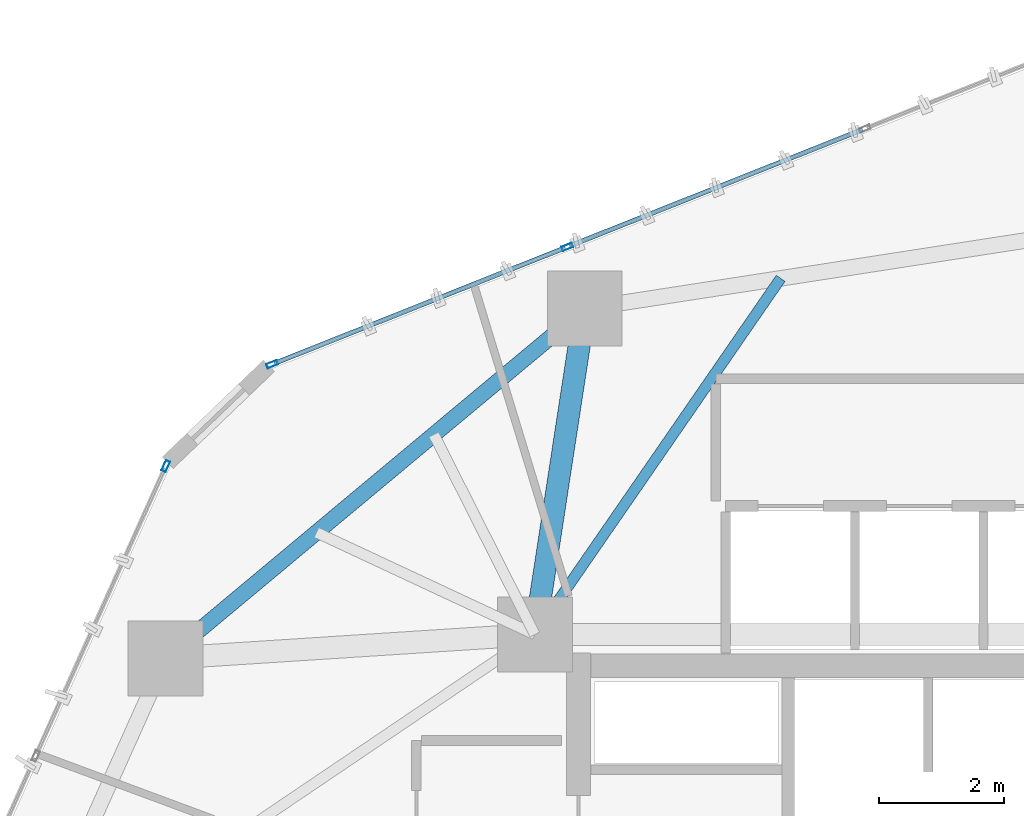
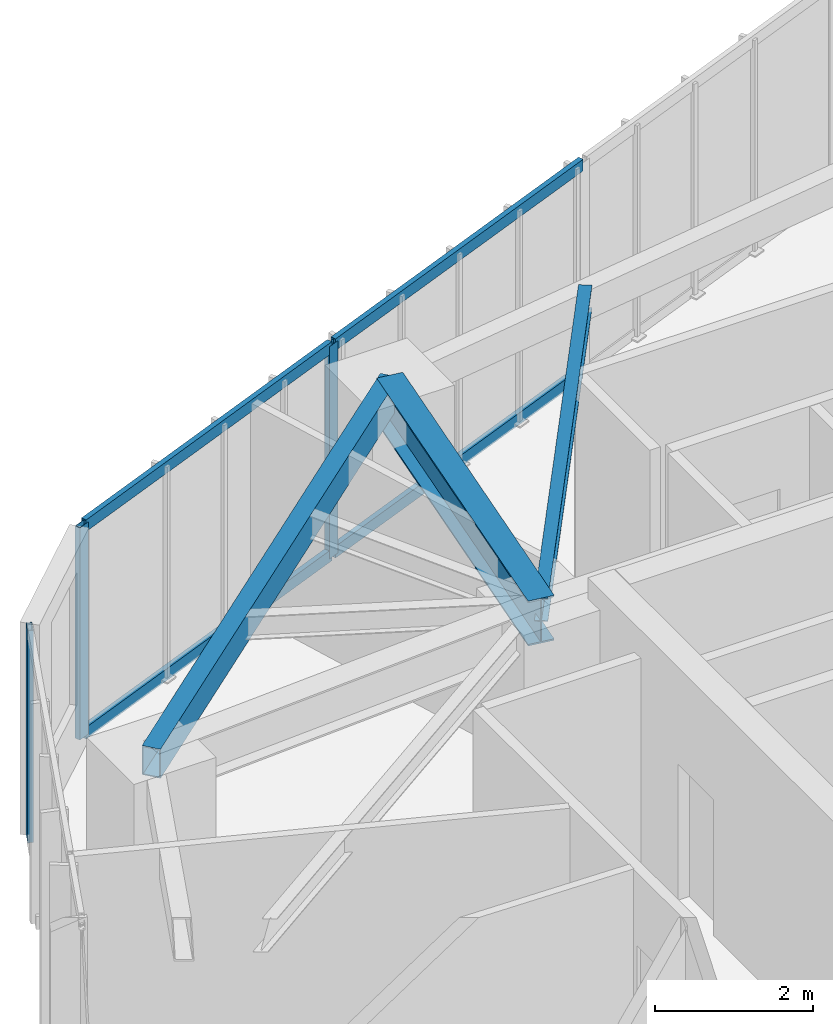
# One storey, part 12 of 22: 7 members, 3 beams, 2 elements without a shape of their own.
"""IFC4 building model written with IfcOpenShell, lengths in metres."""

from ifc_helpers import new_model, si_unit, direction, frame, origin, origin_2d, place, context, subcontext, project, spatial, hollow_rectangle, i_section, extrude, source, transform, mapped, material, layer, layer_set, material_profile, profile_set, type_object, type_shapes, element, aggregate, save


model = new_model("IFC4")

# Units and contexts
model_context = context("Model", 3, precision=1e-05, world=origin(), true_north=direction((0.0, 1.0)))
body_context = subcontext(model_context, "Body", "Model", "MODEL_VIEW")
ifc_project = project(units=[si_unit("LENGTHUNIT", "METRE"), si_unit("AREAUNIT", "SQUARE_METRE"), si_unit("VOLUMEUNIT", "CUBIC_METRE"), si_unit("PLANEANGLEUNIT", "RADIAN"), si_unit("MASSUNIT", "GRAM", prefix="KILO")], contexts=[model_context])

# Site, building, storey
site_placement = place(None, origin())
site = spatial("IfcSite", under=ifc_project, at=site_placement, CompositionType="ELEMENT")
building_placement = place(site_placement, origin())
building = spatial("IfcBuilding", under=site, at=building_placement, Name="Talar Marvaseh", CompositionType="ELEMENT")
storey_placement = place(building_placement, frame((0.0, 0.0, 154.199951171875)))
storey = spatial("IfcBuildingStorey", under=building, at=storey_placement, Name="L40", CompositionType="ELEMENT", Elevation=154.199951171875)

# Beams
ifc_material_1 = material(Name="Steel S355", Category="steel")
ifc_material_profile_1 = material_profile(ifc_material_1, hollow_rectangle(XDim=0.25, YDim=0.449951171875, WallThickness=0.01611328125, at=origin_2d()), Name="RHS450x250x16")
ifc_profile_set_1 = profile_set([ifc_material_profile_1], Name="Steel S355")
beam_type_1 = type_object("IfcBeamType", Name="Zone 2 Perimeter Spandrel Beam RHS450x250x16", PredefinedType="SPANDREL", material=ifc_profile_set_1)
beam_1_placement = place(storey_placement, frame((12.780029296875, 36.51708984375, 3.054931640625), z_axis=(0.76793081465, 0.640532796905, 0.0), x_axis=(-0.640532796905, 0.76793081465, 0.0)))
element("IfcBeam", 1, at=beam_1_placement, inside=storey, type_object=beam_type_1, Name="L40 Zone 2 Perimeter Spandrel Beam RHS450x250x16", PredefinedType="SPANDREL", context=body_context, shape_type="SweptSolid", body=[
    extrude(hollow_rectangle(XDim=0.25, YDim=0.449951171875, WallThickness=0.01611328125, at=origin_2d()), origin(), (0.0, 0.0, 1.0), 8.751953125),
])
ifc_material_profile_2 = material_profile(ifc_material_1, i_section(OverallWidth=0.35498046875, OverallDepth=0.695068359375, WebThickness=0.015380859375, FlangeThickness=0.02490234375, at=origin_2d()), Name="W690x217")
ifc_profile_set_2 = profile_set([ifc_material_profile_2], Name="Steel S355")
beam_type_2 = type_object("IfcBeamType", Name="Zone 2 Radial Floor Girder W690x217", PredefinedType="BEAM", material=ifc_profile_set_2)
beam_2_placement = place(storey_placement, frame((19.5009765625, 42.123046875, 2.9326171875), z_axis=(-0.151588471466, -0.98844369355, 0.0), x_axis=(0.98844369355, -0.151588471466, 0.0)))
element("IfcBeam", 2, at=beam_2_placement, inside=storey, type_object=beam_type_2, Name="L40 Zone 2 Radial Floor Girder W690x217", PredefinedType="BEAM", context=body_context, shape_type="SweptSolid", body=[
    extrude(i_section(OverallWidth=0.35498046875, OverallDepth=0.695068359375, WebThickness=0.015380859375, FlangeThickness=0.02490234375, at=origin_2d()), origin(), (0.0, 0.0, 1.0), 5.2841796875),
])
ifc_material_profile_3 = material_profile(ifc_material_1, i_section(OverallWidth=0.172119140625, OverallDepth=0.35791015625, WebThickness=0.0078125, FlangeThickness=0.01318359375, at=origin_2d()), Name="W360x57")
ifc_profile_set_3 = profile_set([ifc_material_profile_3], Name="Steel S355")
beam_type_3 = type_object("IfcBeamType", Name="Zone 2 Secondary Floor Joist W360x57", PredefinedType="JOIST", material=ifc_profile_set_3)
beam_3_placement = place(storey_placement, frame((22.640625, 42.608642578125, 3.10107421875), z_axis=(-0.568085734836, -0.822969378456, 0.0), x_axis=(0.822969378456, -0.568085734836, 0.0)))
element("IfcBeam", 3, at=beam_3_placement, inside=storey, type_object=beam_type_3, Name="L40 Zone 2 Secondary Floor Joist W360x57", PredefinedType="JOIST", context=body_context, shape_type="SweptSolid", body=[
    extrude(i_section(OverallWidth=0.172119140625, OverallDepth=0.35791015625, WebThickness=0.0078125, FlangeThickness=0.01318359375, at=origin_2d()), origin(), (0.0, 0.0, 1.0), 6.936767578125),
])

# Curtain wall, members
ifc_material_2 = material(Name="Architectural Aluminium", Category="aluminium")
ifc_layer = layer(ifc_material_2, 0.199951171875)
ifc_layer_set = layer_set([ifc_layer], Name="Architectural Aluminium")
curtain_wall_type = type_object("IfcCurtainWallType", Name="Unitised Acoustic Library Curtain Wall Z2", PredefinedType="NOTDEFINED", material=ifc_layer_set)
curtain_wall_1_placement = place(storey_placement, origin())
curtain_wall_1 = element("IfcCurtainWall", 4, at=curtain_wall_1_placement, inside=storey, type_object=curtain_wall_type, Name="L40 Unitised Acoustic Library Curtain Wall Z2", PredefinedType="NOTDEFINED")
ifc_material_profile_4 = material_profile(ifc_material_2, hollow_rectangle(XDim=0.074951171875, YDim=0.179931640625, WallThickness=0.0048828125, at=origin_2d()), Name="RHS180x75x5")
ifc_profile_set_4 = profile_set([ifc_material_profile_4], Name="Architectural Aluminium")
member_type_1 = type_object("IfcMemberType", Name="Unitised Curtain Wall Transom RHS180x75x5", PredefinedType="USERDEFINED", material=ifc_profile_set_4)
shared_shape_1 = source(origin(), body_context, "Body", "SweptSolid", [
    extrude(hollow_rectangle(XDim=0.074951171875, YDim=0.179931640625, WallThickness=0.0048828125, at=origin_2d()), origin(), (0.0, 0.0, 1.0), 5.017578125),
])
member_1_placement = place(storey_placement, frame((14.523681640625, 41.24462890625, 0.03759765625), z_axis=(0.929249823575, 0.36945197981, 0.0), x_axis=(-0.36945197981, 0.929249823575, 0.0)))
member_1 = element("IfcMember", 5, at=member_1_placement, type_object=member_type_1, Name="CW-Z2 transom 1.1", ObjectType="TRANSOM", PredefinedType="USERDEFINED", context=body_context, shape_type="MappedRepresentation", body=[
    mapped(shared_shape_1, transform((0.0, 0.0, 0.0), x_axis=(1.0, 0.0, 0.0), y_axis=(0.0, 1.0, 0.0), z_axis=(0.0, 0.0, 1.0), scale=1.0)),
])
member_2_placement = place(storey_placement, frame((14.523681640625, 41.24462890625, 3.242431640625), z_axis=(0.929249823575, 0.36945197981, 0.0), x_axis=(-0.36945197981, 0.929249823575, 0.0)))
member_2 = element("IfcMember", 6, at=member_2_placement, type_object=member_type_1, Name="CW-Z2 transom 1.2", ObjectType="TRANSOM", PredefinedType="USERDEFINED", context=body_context, shape_type="MappedRepresentation", body=[
    mapped(shared_shape_1, transform((0.0, 0.0, 0.0), x_axis=(1.0, 0.0, 0.0), y_axis=(0.0, 1.0, 0.0), z_axis=(0.0, 0.0, 1.0), scale=1.0)),
])
shared_shape_2 = source(origin(), body_context, "Body", "SweptSolid", [
    extrude(hollow_rectangle(XDim=0.074951171875, YDim=0.179931640625, WallThickness=0.0048828125, at=origin_2d()), origin(), (0.0, 0.0, 1.0), 5.05517578125),
])
type_shapes(member_type_1, [shared_shape_1, shared_shape_2])
member_3_placement = place(storey_placement, frame((19.255859375, 43.126220703125, 0.03759765625), z_axis=(0.929247403957, 0.369458065603, 0.0), x_axis=(-0.369458065603, 0.929247403957, 0.0)))
member_3 = element("IfcMember", 7, at=member_3_placement, type_object=member_type_1, Name="CW-Z2 transom 2.1", ObjectType="TRANSOM", PredefinedType="USERDEFINED", context=body_context, shape_type="MappedRepresentation", body=[
    mapped(shared_shape_2, transform((0.0, 0.0, 0.0), x_axis=(1.0, 0.0, 0.0), y_axis=(0.0, 1.0, 0.0), z_axis=(0.0, 0.0, 1.0), scale=1.0)),
])
member_4_placement = place(storey_placement, frame((19.255859375, 43.126220703125, 3.242431640625), z_axis=(0.929247403957, 0.369458065603, 0.0), x_axis=(-0.369458065603, 0.929247403957, 0.0)))
member_4 = element("IfcMember", 8, at=member_4_placement, type_object=member_type_1, Name="CW-Z2 transom 2.2", ObjectType="TRANSOM", PredefinedType="USERDEFINED", context=body_context, shape_type="MappedRepresentation", body=[
    mapped(shared_shape_2, transform((0.0, 0.0, 0.0), x_axis=(1.0, 0.0, 0.0), y_axis=(0.0, 1.0, 0.0), z_axis=(0.0, 0.0, 1.0), scale=1.0)),
])

# Curtain wall, member
curtain_wall_2_placement = place(storey_placement, origin())
curtain_wall_2 = element("IfcCurtainWall", 9, at=curtain_wall_2_placement, inside=storey, type_object=curtain_wall_type, Name="L40 Unitised Acoustic Library Curtain Wall Z2", PredefinedType="NOTDEFINED")
ifc_material_profile_5 = material_profile(ifc_material_2, hollow_rectangle(XDim=0.074951171875, YDim=0.179931640625, WallThickness=0.0048828125, at=origin_2d()), Name="RHS180x75x5")
ifc_profile_set_5 = profile_set([ifc_material_profile_5], Name="Architectural Aluminium")
member_type_2 = type_object("IfcMemberType", Name="Unitised Curtain Wall Standard Mullion RHS180x75x5", PredefinedType="MULLION", material=ifc_profile_set_5)
shared_shape_3 = source(origin(), body_context, "Body", "SweptSolid", [
    extrude(hollow_rectangle(XDim=0.074951171875, YDim=0.179931640625, WallThickness=0.0048828125, at=origin_2d()), origin(), (0.0, 0.0, 1.0), 3.280029296875),
])
type_shapes(member_type_2, [shared_shape_3])
member_5_placement = place(storey_placement, frame((12.784423828125, 39.59912109375, 0.0), z_axis=(0.0, 0.0, 1.0), x_axis=(-0.912247532518, 0.409639401688, 0.0)))
member_5 = element("IfcMember", 10, at=member_5_placement, type_object=member_type_2, Name="CW-Z2 mullion 4", PredefinedType="MULLION", context=body_context, shape_type="MappedRepresentation", body=[
    mapped(shared_shape_3, transform((0.0, 0.0, 0.0), x_axis=(1.0, 0.0, 0.0), y_axis=(0.0, 1.0, 0.0), z_axis=(0.0, 0.0, 1.0), scale=1.0)),
])
aggregate(curtain_wall_2, [member_5])

# Member
member_6_placement = place(storey_placement, frame((14.48876953125, 41.23095703125, 0.0), z_axis=(0.0, 0.0, 1.0), x_axis=(-0.369458491342, 0.929247234688, 0.0)))
member_6 = element("IfcMember", 11, at=member_6_placement, type_object=member_type_2, Name="CW-Z2 mullion 1", PredefinedType="MULLION", context=body_context, shape_type="MappedRepresentation", body=[
    mapped(shared_shape_3, transform((0.0, 0.0, 0.0), x_axis=(1.0, 0.0, 0.0), y_axis=(0.0, 1.0, 0.0), z_axis=(0.0, 0.0, 1.0), scale=1.0)),
])

member_7_placement = place(storey_placement, frame((19.220947265625, 43.1123046875, 0.0), z_axis=(0.0, 0.0, 1.0), x_axis=(-0.369458491342, 0.929247234688, 0.0)))
member_7 = element("IfcMember", 12, at=member_7_placement, type_object=member_type_2, Name="CW-Z2 mullion 2", PredefinedType="MULLION", context=body_context, shape_type="MappedRepresentation", body=[
    mapped(shared_shape_3, transform((0.0, 0.0, 0.0), x_axis=(1.0, 0.0, 0.0), y_axis=(0.0, 1.0, 0.0), z_axis=(0.0, 0.0, 1.0), scale=1.0)),
])

aggregate(curtain_wall_1, [member_6, member_7, member_1, member_2, member_3, member_4])

save(model, "model.ifc")
